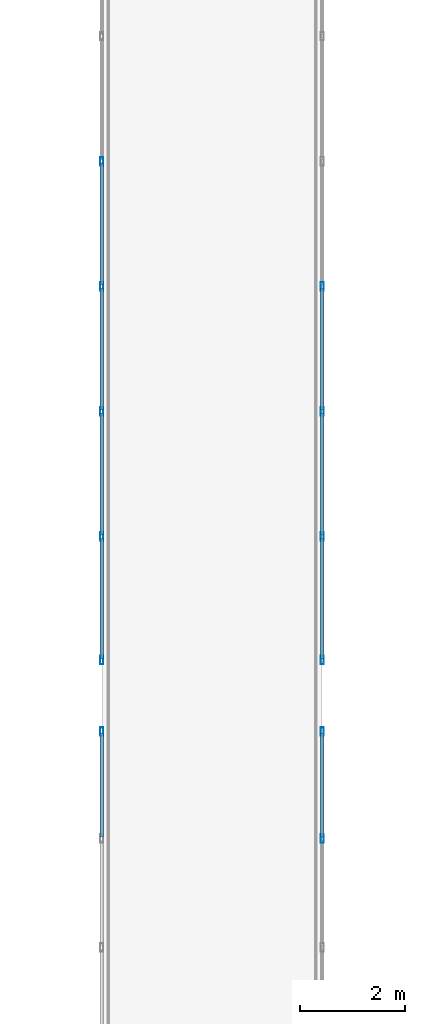
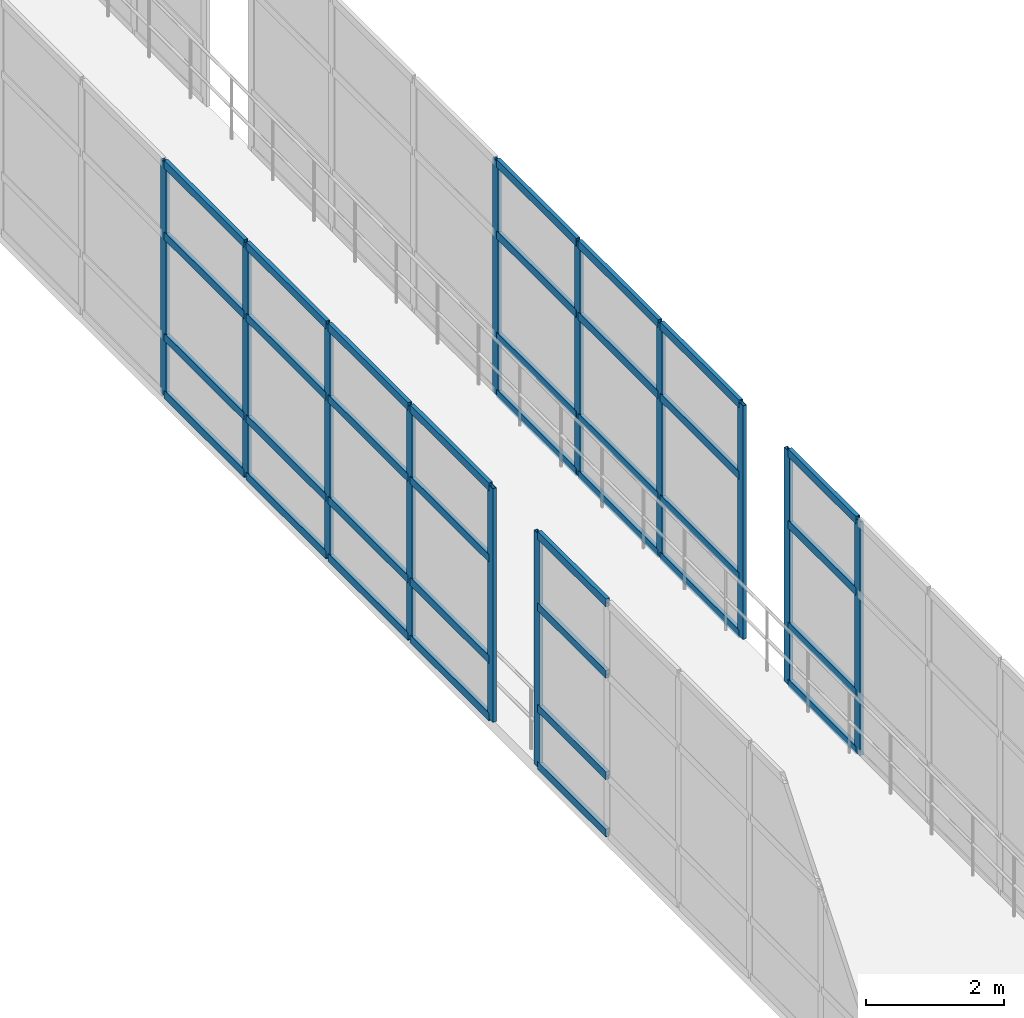
# One storey, part 54 of 105: 48 members, 4 elements without a shape of their own.
"""IFC4 building model written with IfcOpenShell, lengths in metres."""

from ifc_helpers import new_model, si_unit, direction, frame, origin, origin_2d, place, context, subcontext, project, spatial, hollow_rectangle, extrude, material, layer, layer_set, material_profile, profile_set, type_object, element, aggregate, save


model = new_model("IFC4")

# Units and contexts
model_context = context("Model", 3, precision=1e-05, world=origin(), true_north=direction((0.0, 1.0)))
body_context = subcontext(model_context, "Body", "Model", "MODEL_VIEW")
ifc_project = project(units=[si_unit("LENGTHUNIT", "METRE"), si_unit("AREAUNIT", "SQUARE_METRE"), si_unit("VOLUMEUNIT", "CUBIC_METRE"), si_unit("PLANEANGLEUNIT", "RADIAN"), si_unit("MASSUNIT", "GRAM", prefix="KILO")], contexts=[model_context])

# Site, building, storey
site_placement = place(None, origin())
site = spatial("IfcSite", under=ifc_project, at=site_placement, CompositionType="ELEMENT")
building_placement = place(site_placement, origin())
building = spatial("IfcBuilding", under=site, at=building_placement, Name="Selat Folded Stagehouse", CompositionType="ELEMENT")
storey_placement = place(building_placement, frame((0.0, 0.0, 10.199951171875)))
storey = spatial("IfcBuildingStorey", under=building, at=storey_placement, Name="L02", CompositionType="ELEMENT", Elevation=10.199951171875)

# Curtain wall, member
ifc_material = material(Name="Aluminium 6063-T6", Category="aluminium")
ifc_layer = layer(ifc_material, 0.175048828125)
ifc_layer_set = layer_set([ifc_layer], Name="Aluminium 6063-T6")
curtain_wall_type = type_object("IfcCurtainWallType", Name="CW-BRG-GLAZ", PredefinedType="NOTDEFINED", material=ifc_layer_set)
curtain_wall_1_placement = place(storey_placement, origin())
curtain_wall_1 = element("IfcCurtainWall", 1, at=curtain_wall_1_placement, inside=storey, type_object=curtain_wall_type, Name="L02 curtain wall CW-BRG-12", PredefinedType="NOTDEFINED")
ifc_material_profile_1 = material_profile(ifc_material, hollow_rectangle(XDim=0.06005859375, YDim=0.159912109375, WallThickness=0.00390625, at=origin_2d()), Name="ALU 160x60x4.0")
ifc_profile_set_1 = profile_set([ifc_material_profile_1], Name="Aluminium 6063-T6")
member_type_1 = type_object("IfcMemberType", Name="CWM-MUL-160x60", PredefinedType="MULLION", material=ifc_profile_set_1)
member_1_placement = place(storey_placement, frame((96.60009765625, 46.1201171875, 0.0), z_axis=(0.0, 0.0, 1.0), x_axis=(-1.0, 0.0, 0.0)))
member_1 = element("IfcMember", 2, at=member_1_placement, type_object=member_type_1, Name="CW-07 mullion 8", PredefinedType="MULLION", context=body_context, shape_type="SweptSolid", body=[
    extrude(hollow_rectangle(XDim=0.06005859375, YDim=0.159912109375, WallThickness=0.00390625, at=origin_2d()), origin(), (0.0, 0.0, 1.0), 4.150146484375),
])

# Curtain wall, members
curtain_wall_2_placement = place(storey_placement, origin())
curtain_wall_2 = element("IfcCurtainWall", 3, at=curtain_wall_2_placement, inside=storey, type_object=curtain_wall_type, Name="L02 curtain wall CW-BRG-13", PredefinedType="NOTDEFINED")
member_2_placement = place(storey_placement, frame((96.60009765625, 47.47998046875, 0.0), z_axis=(0.0, 0.0, 1.0), x_axis=(-1.0, 0.0, 0.0)))
member_2 = element("IfcMember", 4, at=member_2_placement, type_object=member_type_1, Name="CW-07 mullion 1", PredefinedType="MULLION", context=body_context, shape_type="SweptSolid", body=[
    extrude(hollow_rectangle(XDim=0.06005859375, YDim=0.159912109375, WallThickness=0.00390625, at=origin_2d()), origin(), (0.0, 0.0, 1.0), 4.150146484375),
])
member_3_placement = place(storey_placement, frame((96.60009765625, 49.833251953125, 0.0), z_axis=(0.0, 0.0, 1.0), x_axis=(-1.0, 0.0, 0.0)))
member_3 = element("IfcMember", 5, at=member_3_placement, type_object=member_type_1, Name="CW-07 mullion 2", PredefinedType="MULLION", context=body_context, shape_type="SweptSolid", body=[
    extrude(hollow_rectangle(XDim=0.06005859375, YDim=0.159912109375, WallThickness=0.00390625, at=origin_2d()), origin(), (0.0, 0.0, 1.0), 4.150146484375),
])
member_4_placement = place(storey_placement, frame((96.60009765625, 52.216552734375, 0.0), z_axis=(0.0, 0.0, 1.0), x_axis=(-1.0, 0.0, 0.0)))
member_4 = element("IfcMember", 6, at=member_4_placement, type_object=member_type_1, Name="CW-07 mullion 3", PredefinedType="MULLION", context=body_context, shape_type="SweptSolid", body=[
    extrude(hollow_rectangle(XDim=0.06005859375, YDim=0.159912109375, WallThickness=0.00390625, at=origin_2d()), origin(), (0.0, 0.0, 1.0), 4.150146484375),
])
member_5_placement = place(storey_placement, frame((96.60009765625, 54.60009765625, 0.0), z_axis=(0.0, 0.0, 1.0), x_axis=(-1.0, 0.0, 0.0)))
member_5 = element("IfcMember", 7, at=member_5_placement, type_object=member_type_1, Name="CW-07 mullion 4", PredefinedType="MULLION", context=body_context, shape_type="SweptSolid", body=[
    extrude(hollow_rectangle(XDim=0.06005859375, YDim=0.159912109375, WallThickness=0.00390625, at=origin_2d()), origin(), (0.0, 0.0, 1.0), 4.150146484375),
])
member_6_placement = place(storey_placement, frame((96.60009765625, 56.9833984375, 0.0), z_axis=(0.0, 0.0, 1.0), x_axis=(-1.0, 0.0, 0.0)))
member_6 = element("IfcMember", 8, at=member_6_placement, type_object=member_type_1, Name="CW-07 mullion 5", PredefinedType="MULLION", context=body_context, shape_type="SweptSolid", body=[
    extrude(hollow_rectangle(XDim=0.06005859375, YDim=0.159912109375, WallThickness=0.00390625, at=origin_2d()), origin(), (0.0, 0.0, 1.0), 4.150146484375),
])

curtain_wall_3_placement = place(storey_placement, origin())
curtain_wall_3 = element("IfcCurtainWall", 9, at=curtain_wall_3_placement, inside=storey, type_object=curtain_wall_type, Name="L02 curtain wall CW-BRG-17", PredefinedType="NOTDEFINED")
member_7_placement = place(storey_placement, frame((100.800048828125, 46.1201171875, 0.0), z_axis=(0.0, 0.0, 1.0), x_axis=(1.0, 0.0, 0.0)))
member_7 = element("IfcMember", 10, at=member_7_placement, type_object=member_type_1, Name="CW-07 mullion 1", PredefinedType="MULLION", context=body_context, shape_type="SweptSolid", body=[
    extrude(hollow_rectangle(XDim=0.06005859375, YDim=0.159912109375, WallThickness=0.00390625, at=origin_2d()), origin(), (0.0, 0.0, 1.0), 4.150146484375),
])
member_8_placement = place(storey_placement, frame((100.800048828125, 44.07861328125, 0.0), z_axis=(0.0, 0.0, 1.0), x_axis=(1.0, 0.0, 0.0)))
member_8 = element("IfcMember", 11, at=member_8_placement, type_object=member_type_1, Name="CW-07 mullion 2", PredefinedType="MULLION", context=body_context, shape_type="SweptSolid", body=[
    extrude(hollow_rectangle(XDim=0.06005859375, YDim=0.159912109375, WallThickness=0.00390625, at=origin_2d()), origin(), (0.0, 0.0, 1.0), 4.150146484375),
])

curtain_wall_4_placement = place(storey_placement, origin())
curtain_wall_4 = element("IfcCurtainWall", 12, at=curtain_wall_4_placement, inside=storey, type_object=curtain_wall_type, Name="L02 curtain wall CW-BRG-18", PredefinedType="NOTDEFINED")
member_9_placement = place(storey_placement, frame((100.800048828125, 54.60009765625, 0.0), z_axis=(0.0, 0.0, 1.0), x_axis=(1.0, 0.0, 0.0)))
member_9 = element("IfcMember", 13, at=member_9_placement, type_object=member_type_1, Name="CW-07 mullion 4", PredefinedType="MULLION", context=body_context, shape_type="SweptSolid", body=[
    extrude(hollow_rectangle(XDim=0.06005859375, YDim=0.159912109375, WallThickness=0.00390625, at=origin_2d()), origin(), (0.0, 0.0, 1.0), 4.150146484375),
])
member_10_placement = place(storey_placement, frame((100.800048828125, 52.216552734375, 0.0), z_axis=(0.0, 0.0, 1.0), x_axis=(1.0, 0.0, 0.0)))
member_10 = element("IfcMember", 14, at=member_10_placement, type_object=member_type_1, Name="CW-07 mullion 5", PredefinedType="MULLION", context=body_context, shape_type="SweptSolid", body=[
    extrude(hollow_rectangle(XDim=0.06005859375, YDim=0.159912109375, WallThickness=0.00390625, at=origin_2d()), origin(), (0.0, 0.0, 1.0), 4.150146484375),
])
member_11_placement = place(storey_placement, frame((100.800048828125, 49.833251953125, 0.0), z_axis=(0.0, 0.0, 1.0), x_axis=(1.0, 0.0, 0.0)))
member_11 = element("IfcMember", 15, at=member_11_placement, type_object=member_type_1, Name="CW-07 mullion 6", PredefinedType="MULLION", context=body_context, shape_type="SweptSolid", body=[
    extrude(hollow_rectangle(XDim=0.06005859375, YDim=0.159912109375, WallThickness=0.00390625, at=origin_2d()), origin(), (0.0, 0.0, 1.0), 4.150146484375),
])
member_12_placement = place(storey_placement, frame((100.800048828125, 47.47998046875, 0.0), z_axis=(0.0, 0.0, 1.0), x_axis=(1.0, 0.0, 0.0)))
member_12 = element("IfcMember", 16, at=member_12_placement, type_object=member_type_1, Name="CW-07 mullion 7", PredefinedType="MULLION", context=body_context, shape_type="SweptSolid", body=[
    extrude(hollow_rectangle(XDim=0.06005859375, YDim=0.159912109375, WallThickness=0.00390625, at=origin_2d()), origin(), (0.0, 0.0, 1.0), 4.150146484375),
])

# Member
ifc_material_profile_2 = material_profile(ifc_material, hollow_rectangle(XDim=0.06494140625, YDim=0.139892578125, WallThickness=0.00390625, at=origin_2d()), Name="ALU 140x65x4.0")
ifc_profile_set_2 = profile_set([ifc_material_profile_2], Name="Aluminium 6063-T6")
member_type_2 = type_object("IfcMemberType", Name="CWM-TRN-140x65", PredefinedType="USERDEFINED", material=ifc_profile_set_2)
member_13_placement = place(storey_placement, frame((96.60009765625, 44.108642578125, 0.032470703125), z_axis=(0.0, 1.0, 0.0), x_axis=(-1.0, 0.0, 0.0)))
member_13 = element("IfcMember", 17, at=member_13_placement, type_object=member_type_2, Name="CW-07 transom 7.1", ObjectType="TRANSOM", PredefinedType="USERDEFINED", context=body_context, shape_type="SweptSolid", body=[
    extrude(hollow_rectangle(XDim=0.06494140625, YDim=0.139892578125, WallThickness=0.00390625, at=origin_2d()), origin(), (0.0, 0.0, 1.0), 1.9814453125),
])

member_14_placement = place(storey_placement, frame((96.60009765625, 44.108642578125, 1.050048828125), z_axis=(0.0, 1.0, 0.0), x_axis=(-1.0, 0.0, 0.0)))
member_14 = element("IfcMember", 18, at=member_14_placement, type_object=member_type_2, Name="CW-07 transom 7.2", ObjectType="TRANSOM", PredefinedType="USERDEFINED", context=body_context, shape_type="SweptSolid", body=[
    extrude(hollow_rectangle(XDim=0.06494140625, YDim=0.139892578125, WallThickness=0.00390625, at=origin_2d()), origin(), (0.0, 0.0, 1.0), 1.9814453125),
])

member_15_placement = place(storey_placement, frame((96.60009765625, 44.108642578125, 2.85009765625), z_axis=(0.0, 1.0, 0.0), x_axis=(-1.0, 0.0, 0.0)))
member_15 = element("IfcMember", 19, at=member_15_placement, type_object=member_type_2, Name="CW-07 transom 7.3", ObjectType="TRANSOM", PredefinedType="USERDEFINED", context=body_context, shape_type="SweptSolid", body=[
    extrude(hollow_rectangle(XDim=0.06494140625, YDim=0.139892578125, WallThickness=0.00390625, at=origin_2d()), origin(), (0.0, 0.0, 1.0), 1.9814453125),
])

member_16_placement = place(storey_placement, frame((96.60009765625, 44.108642578125, 4.117431640625), z_axis=(0.0, 1.0, 0.0), x_axis=(-1.0, 0.0, 0.0)))
member_16 = element("IfcMember", 20, at=member_16_placement, type_object=member_type_2, Name="CW-07 transom 7.4", ObjectType="TRANSOM", PredefinedType="USERDEFINED", context=body_context, shape_type="SweptSolid", body=[
    extrude(hollow_rectangle(XDim=0.06494140625, YDim=0.139892578125, WallThickness=0.00390625, at=origin_2d()), origin(), (0.0, 0.0, 1.0), 1.9814453125),
])

aggregate(curtain_wall_1, [member_1, member_13, member_14, member_15, member_16])

member_17_placement = place(storey_placement, frame((96.60009765625, 47.510009765625, 0.032470703125), z_axis=(0.0, 1.0, 0.0), x_axis=(-1.0, 0.0, 0.0)))
member_17 = element("IfcMember", 21, at=member_17_placement, type_object=member_type_2, Name="CW-07 transom 1.1", ObjectType="TRANSOM", PredefinedType="USERDEFINED", context=body_context, shape_type="SweptSolid", body=[
    extrude(hollow_rectangle(XDim=0.06494140625, YDim=0.139892578125, WallThickness=0.00390625, at=origin_2d()), origin(), (0.0, 0.0, 1.0), 2.293212890625),
])

member_18_placement = place(storey_placement, frame((96.60009765625, 47.510009765625, 1.050048828125), z_axis=(0.0, 1.0, 0.0), x_axis=(-1.0, 0.0, 0.0)))
member_18 = element("IfcMember", 22, at=member_18_placement, type_object=member_type_2, Name="CW-07 transom 1.2", ObjectType="TRANSOM", PredefinedType="USERDEFINED", context=body_context, shape_type="SweptSolid", body=[
    extrude(hollow_rectangle(XDim=0.06494140625, YDim=0.139892578125, WallThickness=0.00390625, at=origin_2d()), origin(), (0.0, 0.0, 1.0), 2.293212890625),
])

member_19_placement = place(storey_placement, frame((96.60009765625, 47.510009765625, 2.85009765625), z_axis=(0.0, 1.0, 0.0), x_axis=(-1.0, 0.0, 0.0)))
member_19 = element("IfcMember", 23, at=member_19_placement, type_object=member_type_2, Name="CW-07 transom 1.3", ObjectType="TRANSOM", PredefinedType="USERDEFINED", context=body_context, shape_type="SweptSolid", body=[
    extrude(hollow_rectangle(XDim=0.06494140625, YDim=0.139892578125, WallThickness=0.00390625, at=origin_2d()), origin(), (0.0, 0.0, 1.0), 2.293212890625),
])

member_20_placement = place(storey_placement, frame((96.60009765625, 47.510009765625, 4.117431640625), z_axis=(0.0, 1.0, 0.0), x_axis=(-1.0, 0.0, 0.0)))
member_20 = element("IfcMember", 24, at=member_20_placement, type_object=member_type_2, Name="CW-07 transom 1.4", ObjectType="TRANSOM", PredefinedType="USERDEFINED", context=body_context, shape_type="SweptSolid", body=[
    extrude(hollow_rectangle(XDim=0.06494140625, YDim=0.139892578125, WallThickness=0.00390625, at=origin_2d()), origin(), (0.0, 0.0, 1.0), 2.293212890625),
])

member_21_placement = place(storey_placement, frame((96.60009765625, 49.86328125, 0.032470703125), z_axis=(0.0, 1.0, 0.0), x_axis=(-1.0, 0.0, 0.0)))
member_21 = element("IfcMember", 25, at=member_21_placement, type_object=member_type_2, Name="CW-07 transom 2.1", ObjectType="TRANSOM", PredefinedType="USERDEFINED", context=body_context, shape_type="SweptSolid", body=[
    extrude(hollow_rectangle(XDim=0.06494140625, YDim=0.139892578125, WallThickness=0.00390625, at=origin_2d()), origin(), (0.0, 0.0, 1.0), 2.323486328125),
])

member_22_placement = place(storey_placement, frame((96.60009765625, 49.86328125, 1.050048828125), z_axis=(0.0, 1.0, 0.0), x_axis=(-1.0, 0.0, 0.0)))
member_22 = element("IfcMember", 26, at=member_22_placement, type_object=member_type_2, Name="CW-07 transom 2.2", ObjectType="TRANSOM", PredefinedType="USERDEFINED", context=body_context, shape_type="SweptSolid", body=[
    extrude(hollow_rectangle(XDim=0.06494140625, YDim=0.139892578125, WallThickness=0.00390625, at=origin_2d()), origin(), (0.0, 0.0, 1.0), 2.323486328125),
])

member_23_placement = place(storey_placement, frame((96.60009765625, 49.86328125, 2.85009765625), z_axis=(0.0, 1.0, 0.0), x_axis=(-1.0, 0.0, 0.0)))
member_23 = element("IfcMember", 27, at=member_23_placement, type_object=member_type_2, Name="CW-07 transom 2.3", ObjectType="TRANSOM", PredefinedType="USERDEFINED", context=body_context, shape_type="SweptSolid", body=[
    extrude(hollow_rectangle(XDim=0.06494140625, YDim=0.139892578125, WallThickness=0.00390625, at=origin_2d()), origin(), (0.0, 0.0, 1.0), 2.323486328125),
])

member_24_placement = place(storey_placement, frame((96.60009765625, 49.86328125, 4.117431640625), z_axis=(0.0, 1.0, 0.0), x_axis=(-1.0, 0.0, 0.0)))
member_24 = element("IfcMember", 28, at=member_24_placement, type_object=member_type_2, Name="CW-07 transom 2.4", ObjectType="TRANSOM", PredefinedType="USERDEFINED", context=body_context, shape_type="SweptSolid", body=[
    extrude(hollow_rectangle(XDim=0.06494140625, YDim=0.139892578125, WallThickness=0.00390625, at=origin_2d()), origin(), (0.0, 0.0, 1.0), 2.323486328125),
])

member_25_placement = place(storey_placement, frame((96.60009765625, 52.24658203125, 0.032470703125), z_axis=(0.0, 1.0, 0.0), x_axis=(-1.0, 0.0, 0.0)))
member_25 = element("IfcMember", 29, at=member_25_placement, type_object=member_type_2, Name="CW-07 transom 3.1", ObjectType="TRANSOM", PredefinedType="USERDEFINED", context=body_context, shape_type="SweptSolid", body=[
    extrude(hollow_rectangle(XDim=0.06494140625, YDim=0.139892578125, WallThickness=0.00390625, at=origin_2d()), origin(), (0.0, 0.0, 1.0), 2.323486328125),
])

member_26_placement = place(storey_placement, frame((96.60009765625, 52.24658203125, 1.050048828125), z_axis=(0.0, 1.0, 0.0), x_axis=(-1.0, 0.0, 0.0)))
member_26 = element("IfcMember", 30, at=member_26_placement, type_object=member_type_2, Name="CW-07 transom 3.2", ObjectType="TRANSOM", PredefinedType="USERDEFINED", context=body_context, shape_type="SweptSolid", body=[
    extrude(hollow_rectangle(XDim=0.06494140625, YDim=0.139892578125, WallThickness=0.00390625, at=origin_2d()), origin(), (0.0, 0.0, 1.0), 2.323486328125),
])

member_27_placement = place(storey_placement, frame((96.60009765625, 52.24658203125, 2.85009765625), z_axis=(0.0, 1.0, 0.0), x_axis=(-1.0, 0.0, 0.0)))
member_27 = element("IfcMember", 31, at=member_27_placement, type_object=member_type_2, Name="CW-07 transom 3.3", ObjectType="TRANSOM", PredefinedType="USERDEFINED", context=body_context, shape_type="SweptSolid", body=[
    extrude(hollow_rectangle(XDim=0.06494140625, YDim=0.139892578125, WallThickness=0.00390625, at=origin_2d()), origin(), (0.0, 0.0, 1.0), 2.323486328125),
])

member_28_placement = place(storey_placement, frame((96.60009765625, 52.24658203125, 4.117431640625), z_axis=(0.0, 1.0, 0.0), x_axis=(-1.0, 0.0, 0.0)))
member_28 = element("IfcMember", 32, at=member_28_placement, type_object=member_type_2, Name="CW-07 transom 3.4", ObjectType="TRANSOM", PredefinedType="USERDEFINED", context=body_context, shape_type="SweptSolid", body=[
    extrude(hollow_rectangle(XDim=0.06494140625, YDim=0.139892578125, WallThickness=0.00390625, at=origin_2d()), origin(), (0.0, 0.0, 1.0), 2.323486328125),
])

member_29_placement = place(storey_placement, frame((96.60009765625, 54.6298828125, 0.032470703125), z_axis=(0.0, 1.0, 0.0), x_axis=(-1.0, 0.0, 0.0)))
member_29 = element("IfcMember", 33, at=member_29_placement, type_object=member_type_2, Name="CW-07 transom 4.1", ObjectType="TRANSOM", PredefinedType="USERDEFINED", context=body_context, shape_type="SweptSolid", body=[
    extrude(hollow_rectangle(XDim=0.06494140625, YDim=0.139892578125, WallThickness=0.00390625, at=origin_2d()), origin(), (0.0, 0.0, 1.0), 2.323486328125),
])

member_30_placement = place(storey_placement, frame((96.60009765625, 54.6298828125, 1.050048828125), z_axis=(0.0, 1.0, 0.0), x_axis=(-1.0, 0.0, 0.0)))
member_30 = element("IfcMember", 34, at=member_30_placement, type_object=member_type_2, Name="CW-07 transom 4.2", ObjectType="TRANSOM", PredefinedType="USERDEFINED", context=body_context, shape_type="SweptSolid", body=[
    extrude(hollow_rectangle(XDim=0.06494140625, YDim=0.139892578125, WallThickness=0.00390625, at=origin_2d()), origin(), (0.0, 0.0, 1.0), 2.323486328125),
])

member_31_placement = place(storey_placement, frame((96.60009765625, 54.6298828125, 2.85009765625), z_axis=(0.0, 1.0, 0.0), x_axis=(-1.0, 0.0, 0.0)))
member_31 = element("IfcMember", 35, at=member_31_placement, type_object=member_type_2, Name="CW-07 transom 4.3", ObjectType="TRANSOM", PredefinedType="USERDEFINED", context=body_context, shape_type="SweptSolid", body=[
    extrude(hollow_rectangle(XDim=0.06494140625, YDim=0.139892578125, WallThickness=0.00390625, at=origin_2d()), origin(), (0.0, 0.0, 1.0), 2.323486328125),
])

member_32_placement = place(storey_placement, frame((96.60009765625, 54.6298828125, 4.117431640625), z_axis=(0.0, 1.0, 0.0), x_axis=(-1.0, 0.0, 0.0)))
member_32 = element("IfcMember", 36, at=member_32_placement, type_object=member_type_2, Name="CW-07 transom 4.4", ObjectType="TRANSOM", PredefinedType="USERDEFINED", context=body_context, shape_type="SweptSolid", body=[
    extrude(hollow_rectangle(XDim=0.06494140625, YDim=0.139892578125, WallThickness=0.00390625, at=origin_2d()), origin(), (0.0, 0.0, 1.0), 2.323486328125),
])

aggregate(curtain_wall_2, [member_2, member_3, member_4, member_5, member_6, member_17, member_18, member_19, member_20, member_21, member_22, member_23, member_24, member_25, member_26, member_27, member_28, member_29, member_30, member_31, member_32])

member_33_placement = place(storey_placement, frame((100.800048828125, 46.090087890625, 0.032470703125), z_axis=(0.0, -1.0, 0.0), x_axis=(1.0, 0.0, 0.0)))
member_33 = element("IfcMember", 37, at=member_33_placement, type_object=member_type_2, Name="CW-07 transom 1.1", ObjectType="TRANSOM", PredefinedType="USERDEFINED", context=body_context, shape_type="SweptSolid", body=[
    extrude(hollow_rectangle(XDim=0.06494140625, YDim=0.139892578125, WallThickness=0.00390625, at=origin_2d()), origin(), (0.0, 0.0, 1.0), 1.9814453125),
])

member_34_placement = place(storey_placement, frame((100.800048828125, 46.090087890625, 1.050048828125), z_axis=(0.0, -1.0, 0.0), x_axis=(1.0, 0.0, 0.0)))
member_34 = element("IfcMember", 38, at=member_34_placement, type_object=member_type_2, Name="CW-07 transom 1.2", ObjectType="TRANSOM", PredefinedType="USERDEFINED", context=body_context, shape_type="SweptSolid", body=[
    extrude(hollow_rectangle(XDim=0.06494140625, YDim=0.139892578125, WallThickness=0.00390625, at=origin_2d()), origin(), (0.0, 0.0, 1.0), 1.9814453125),
])

member_35_placement = place(storey_placement, frame((100.800048828125, 46.090087890625, 2.85009765625), z_axis=(0.0, -1.0, 0.0), x_axis=(1.0, 0.0, 0.0)))
member_35 = element("IfcMember", 39, at=member_35_placement, type_object=member_type_2, Name="CW-07 transom 1.3", ObjectType="TRANSOM", PredefinedType="USERDEFINED", context=body_context, shape_type="SweptSolid", body=[
    extrude(hollow_rectangle(XDim=0.06494140625, YDim=0.139892578125, WallThickness=0.00390625, at=origin_2d()), origin(), (0.0, 0.0, 1.0), 1.9814453125),
])

member_36_placement = place(storey_placement, frame((100.800048828125, 46.090087890625, 4.117431640625), z_axis=(0.0, -1.0, 0.0), x_axis=(1.0, 0.0, 0.0)))
member_36 = element("IfcMember", 40, at=member_36_placement, type_object=member_type_2, Name="CW-07 transom 1.4", ObjectType="TRANSOM", PredefinedType="USERDEFINED", context=body_context, shape_type="SweptSolid", body=[
    extrude(hollow_rectangle(XDim=0.06494140625, YDim=0.139892578125, WallThickness=0.00390625, at=origin_2d()), origin(), (0.0, 0.0, 1.0), 1.9814453125),
])

aggregate(curtain_wall_3, [member_7, member_8, member_33, member_34, member_35, member_36])

member_37_placement = place(storey_placement, frame((100.800048828125, 54.570068359375, 0.032470703125), z_axis=(0.0, -1.0, 0.0), x_axis=(1.0, 0.0, 0.0)))
member_37 = element("IfcMember", 41, at=member_37_placement, type_object=member_type_2, Name="CW-07 transom 4.1", ObjectType="TRANSOM", PredefinedType="USERDEFINED", context=body_context, shape_type="SweptSolid", body=[
    extrude(hollow_rectangle(XDim=0.06494140625, YDim=0.139892578125, WallThickness=0.00390625, at=origin_2d()), origin(), (0.0, 0.0, 1.0), 2.323486328125),
])

member_38_placement = place(storey_placement, frame((100.800048828125, 54.570068359375, 1.050048828125), z_axis=(0.0, -1.0, 0.0), x_axis=(1.0, 0.0, 0.0)))
member_38 = element("IfcMember", 42, at=member_38_placement, type_object=member_type_2, Name="CW-07 transom 4.2", ObjectType="TRANSOM", PredefinedType="USERDEFINED", context=body_context, shape_type="SweptSolid", body=[
    extrude(hollow_rectangle(XDim=0.06494140625, YDim=0.139892578125, WallThickness=0.00390625, at=origin_2d()), origin(), (0.0, 0.0, 1.0), 2.323486328125),
])

member_39_placement = place(storey_placement, frame((100.800048828125, 54.570068359375, 2.85009765625), z_axis=(0.0, -1.0, 0.0), x_axis=(1.0, 0.0, 0.0)))
member_39 = element("IfcMember", 43, at=member_39_placement, type_object=member_type_2, Name="CW-07 transom 4.3", ObjectType="TRANSOM", PredefinedType="USERDEFINED", context=body_context, shape_type="SweptSolid", body=[
    extrude(hollow_rectangle(XDim=0.06494140625, YDim=0.139892578125, WallThickness=0.00390625, at=origin_2d()), origin(), (0.0, 0.0, 1.0), 2.323486328125),
])

member_40_placement = place(storey_placement, frame((100.800048828125, 54.570068359375, 4.117431640625), z_axis=(0.0, -1.0, 0.0), x_axis=(1.0, 0.0, 0.0)))
member_40 = element("IfcMember", 44, at=member_40_placement, type_object=member_type_2, Name="CW-07 transom 4.4", ObjectType="TRANSOM", PredefinedType="USERDEFINED", context=body_context, shape_type="SweptSolid", body=[
    extrude(hollow_rectangle(XDim=0.06494140625, YDim=0.139892578125, WallThickness=0.00390625, at=origin_2d()), origin(), (0.0, 0.0, 1.0), 2.323486328125),
])

member_41_placement = place(storey_placement, frame((100.800048828125, 52.186767578125, 0.032470703125), z_axis=(0.0, -1.0, 0.0), x_axis=(1.0, 0.0, 0.0)))
member_41 = element("IfcMember", 45, at=member_41_placement, type_object=member_type_2, Name="CW-07 transom 5.1", ObjectType="TRANSOM", PredefinedType="USERDEFINED", context=body_context, shape_type="SweptSolid", body=[
    extrude(hollow_rectangle(XDim=0.06494140625, YDim=0.139892578125, WallThickness=0.00390625, at=origin_2d()), origin(), (0.0, 0.0, 1.0), 2.323486328125),
])

member_42_placement = place(storey_placement, frame((100.800048828125, 52.186767578125, 1.050048828125), z_axis=(0.0, -1.0, 0.0), x_axis=(1.0, 0.0, 0.0)))
member_42 = element("IfcMember", 46, at=member_42_placement, type_object=member_type_2, Name="CW-07 transom 5.2", ObjectType="TRANSOM", PredefinedType="USERDEFINED", context=body_context, shape_type="SweptSolid", body=[
    extrude(hollow_rectangle(XDim=0.06494140625, YDim=0.139892578125, WallThickness=0.00390625, at=origin_2d()), origin(), (0.0, 0.0, 1.0), 2.323486328125),
])

member_43_placement = place(storey_placement, frame((100.800048828125, 52.186767578125, 2.85009765625), z_axis=(0.0, -1.0, 0.0), x_axis=(1.0, 0.0, 0.0)))
member_43 = element("IfcMember", 47, at=member_43_placement, type_object=member_type_2, Name="CW-07 transom 5.3", ObjectType="TRANSOM", PredefinedType="USERDEFINED", context=body_context, shape_type="SweptSolid", body=[
    extrude(hollow_rectangle(XDim=0.06494140625, YDim=0.139892578125, WallThickness=0.00390625, at=origin_2d()), origin(), (0.0, 0.0, 1.0), 2.323486328125),
])

member_44_placement = place(storey_placement, frame((100.800048828125, 52.186767578125, 4.117431640625), z_axis=(0.0, -1.0, 0.0), x_axis=(1.0, 0.0, 0.0)))
member_44 = element("IfcMember", 48, at=member_44_placement, type_object=member_type_2, Name="CW-07 transom 5.4", ObjectType="TRANSOM", PredefinedType="USERDEFINED", context=body_context, shape_type="SweptSolid", body=[
    extrude(hollow_rectangle(XDim=0.06494140625, YDim=0.139892578125, WallThickness=0.00390625, at=origin_2d()), origin(), (0.0, 0.0, 1.0), 2.323486328125),
])

member_45_placement = place(storey_placement, frame((100.800048828125, 49.80322265625, 0.032470703125), z_axis=(0.0, -1.0, 0.0), x_axis=(1.0, 0.0, 0.0)))
member_45 = element("IfcMember", 49, at=member_45_placement, type_object=member_type_2, Name="CW-07 transom 6.1", ObjectType="TRANSOM", PredefinedType="USERDEFINED", context=body_context, shape_type="SweptSolid", body=[
    extrude(hollow_rectangle(XDim=0.06494140625, YDim=0.139892578125, WallThickness=0.00390625, at=origin_2d()), origin(), (0.0, 0.0, 1.0), 2.293212890625),
])

member_46_placement = place(storey_placement, frame((100.800048828125, 49.80322265625, 1.050048828125), z_axis=(0.0, -1.0, 0.0), x_axis=(1.0, 0.0, 0.0)))
member_46 = element("IfcMember", 50, at=member_46_placement, type_object=member_type_2, Name="CW-07 transom 6.2", ObjectType="TRANSOM", PredefinedType="USERDEFINED", context=body_context, shape_type="SweptSolid", body=[
    extrude(hollow_rectangle(XDim=0.06494140625, YDim=0.139892578125, WallThickness=0.00390625, at=origin_2d()), origin(), (0.0, 0.0, 1.0), 2.293212890625),
])

member_47_placement = place(storey_placement, frame((100.800048828125, 49.80322265625, 2.85009765625), z_axis=(0.0, -1.0, 0.0), x_axis=(1.0, 0.0, 0.0)))
member_47 = element("IfcMember", 51, at=member_47_placement, type_object=member_type_2, Name="CW-07 transom 6.3", ObjectType="TRANSOM", PredefinedType="USERDEFINED", context=body_context, shape_type="SweptSolid", body=[
    extrude(hollow_rectangle(XDim=0.06494140625, YDim=0.139892578125, WallThickness=0.00390625, at=origin_2d()), origin(), (0.0, 0.0, 1.0), 2.293212890625),
])

member_48_placement = place(storey_placement, frame((100.800048828125, 49.80322265625, 4.117431640625), z_axis=(0.0, -1.0, 0.0), x_axis=(1.0, 0.0, 0.0)))
member_48 = element("IfcMember", 52, at=member_48_placement, type_object=member_type_2, Name="CW-07 transom 6.4", ObjectType="TRANSOM", PredefinedType="USERDEFINED", context=body_context, shape_type="SweptSolid", body=[
    extrude(hollow_rectangle(XDim=0.06494140625, YDim=0.139892578125, WallThickness=0.00390625, at=origin_2d()), origin(), (0.0, 0.0, 1.0), 2.293212890625),
])

aggregate(curtain_wall_4, [member_9, member_10, member_11, member_12, member_37, member_38, member_39, member_40, member_41, member_42, member_43, member_44, member_45, member_46, member_47, member_48])

save(model, "model.ifc")
